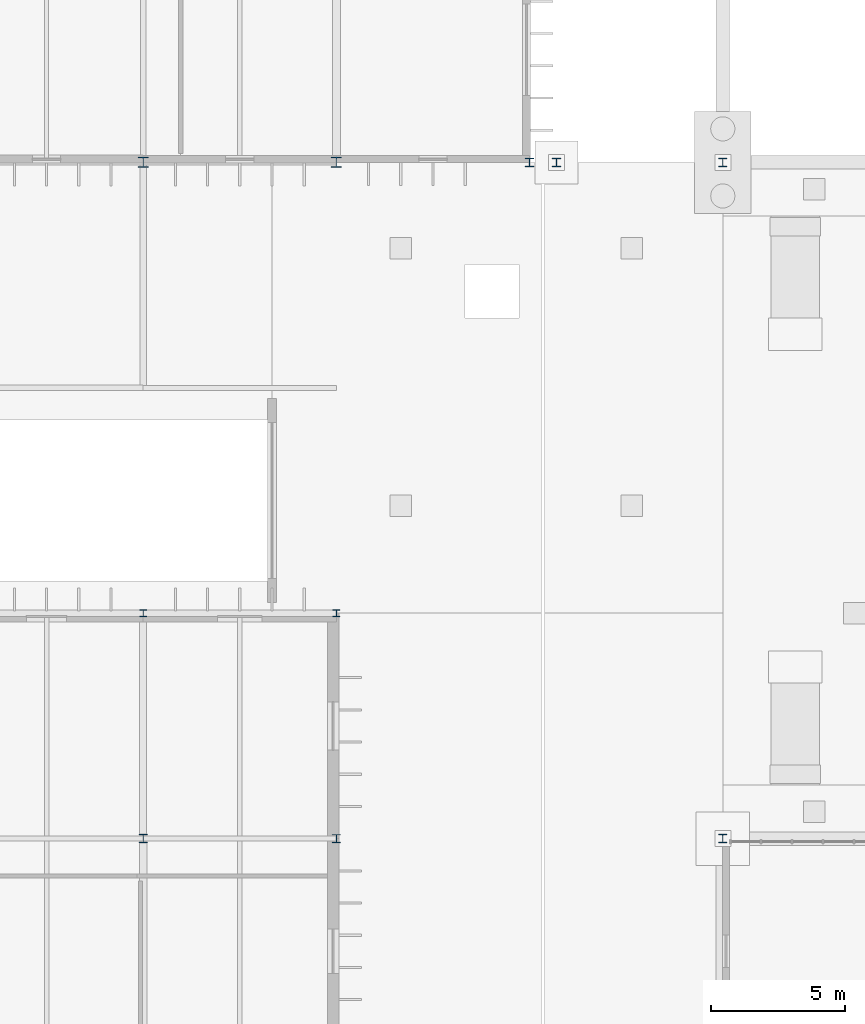
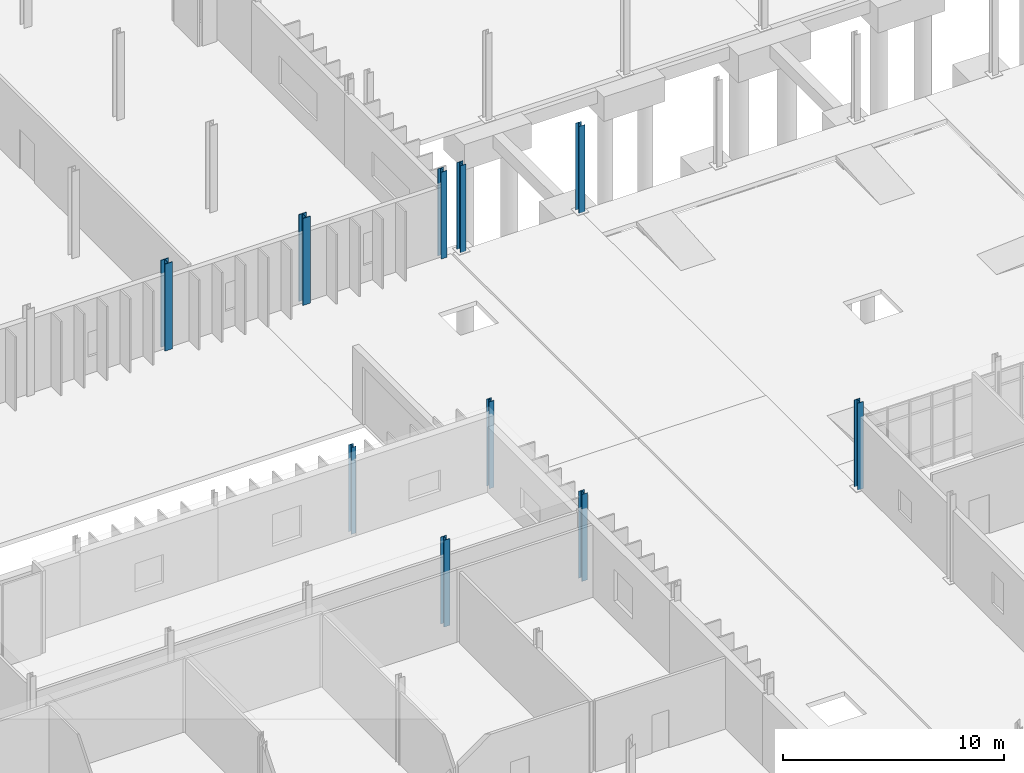
# One storey, part 12 of 118: 10 columns.
"""IFC4 building model written with IfcOpenShell, lengths in metres."""

from ifc_helpers import new_model, si_unit, direction, frame, origin, origin_2d, place, context, subcontext, project, spatial, i_section, extrude, material, material_profile, profile_set, type_object, element, save


model = new_model("IFC4")

# Units and contexts
model_context = context("Model", 3, precision=1e-05, world=origin(), true_north=direction((0.0, 1.0)))
body_context = subcontext(model_context, "Body", "Model", "MODEL_VIEW")
ifc_project = project(units=[si_unit("LENGTHUNIT", "METRE"), si_unit("AREAUNIT", "SQUARE_METRE"), si_unit("VOLUMEUNIT", "CUBIC_METRE"), si_unit("PLANEANGLEUNIT", "RADIAN"), si_unit("MASSUNIT", "GRAM", prefix="KILO")], contexts=[model_context])

# Site, building, storey
site_placement = place(None, origin())
site = spatial("IfcSite", under=ifc_project, at=site_placement, CompositionType="ELEMENT")
building_placement = place(site_placement, origin())
building = spatial("IfcBuilding", under=site, at=building_placement, Name="Qelthora Terrace Specialist Clinic", CompositionType="ELEMENT")
storey_placement = place(building_placement, origin())
storey = spatial("IfcBuildingStorey", under=building, at=storey_placement, Name="L00", CompositionType="ELEMENT", Elevation=0.0)

# Columns
ifc_material = material(Name="Steel S355", Category="steel")
ifc_material_profile_1 = material_profile(ifc_material, i_section(OverallWidth=0.25390625, OverallDepth=0.2529296875, WebThickness=0.008544921875, FlangeThickness=0.01416015625, FilletRadius=0.012939453125, at=origin_2d()), Name="W250X73")
ifc_profile_set_1 = profile_set([ifc_material_profile_1], Name="Steel S355")
column_type_1 = type_object("IfcColumnType", Name="COL-W250X73", PredefinedType="COLUMN", material=ifc_profile_set_1)
column_1_placement = place(storey_placement, frame((36.0, 42.0, 0.0), z_axis=(0.0, 0.0, 1.0), x_axis=(1.0, 0.0, 0.0)))
element("IfcColumn", 1, at=column_1_placement, inside=storey, type_object=column_type_1, Name="Column L00-070", PredefinedType="COLUMN", context=body_context, shape_type="SweptSolid", body=[
    extrude(i_section(OverallWidth=0.25390625, OverallDepth=0.2529296875, WebThickness=0.008544921875, FlangeThickness=0.01416015625, FilletRadius=0.012939453125, at=origin_2d()), origin(), (0.0, 0.0, 1.0), 4.800048828125),
])
ifc_material_profile_2 = material_profile(ifc_material, i_section(OverallWidth=0.256103515625, OverallDepth=0.260009765625, WebThickness=0.0107421875, FlangeThickness=0.017333984375, FilletRadius=0.012939453125, at=origin_2d()), Name="W250X89")
ifc_profile_set_2 = profile_set([ifc_material_profile_2], Name="Steel S355")
column_type_2 = type_object("IfcColumnType", Name="COL-W250X89", PredefinedType="COLUMN", material=ifc_profile_set_2)
column_2_placement = place(storey_placement, frame((43.199951171875, 42.0, 0.0), z_axis=(0.0, 0.0, 1.0), x_axis=(1.0, 0.0, 0.0)))
element("IfcColumn", 2, at=column_2_placement, inside=storey, type_object=column_type_2, Name="Column L00-084", PredefinedType="COLUMN", context=body_context, shape_type="SweptSolid", body=[
    extrude(i_section(OverallWidth=0.256103515625, OverallDepth=0.260009765625, WebThickness=0.0107421875, FlangeThickness=0.017333984375, FilletRadius=0.012939453125, at=origin_2d()), origin(), (0.0, 0.0, 1.0), 4.800048828125),
])
ifc_material_profile_3 = material_profile(ifc_material, i_section(OverallWidth=0.306884765625, OverallDepth=0.31396484375, WebThickness=0.011962890625, FlangeThickness=0.018798828125, FilletRadius=0.01611328125, at=origin_2d()), Name="W310X118")
ifc_profile_set_3 = profile_set([ifc_material_profile_3], Name="Steel S355")
column_type_3 = type_object("IfcColumnType", Name="COL-W310X118", PredefinedType="COLUMN", material=ifc_profile_set_3)
for number, where, z_axis, x_axis, name in (
    (3, (36.0, 33.60009765625, 0.0), (0.0, 0.0, 1.0), (1.0, 0.0, 0.0), "Column L00-069"),
    (4, (57.60009765625, 33.60009765625, 0.0), (0.0, 0.0, 1.0), (1.0, 0.0, 0.0), "Column L00-108"),
):
    element("IfcColumn", number, at=place(storey_placement, frame(where, z_axis=z_axis, x_axis=x_axis)), inside=storey, type_object=column_type_3, Name=name, PredefinedType="COLUMN", context=body_context, shape_type="SweptSolid", body=[
        extrude(i_section(OverallWidth=0.306884765625, OverallDepth=0.31396484375, WebThickness=0.011962890625, FlangeThickness=0.018798828125, FilletRadius=0.01611328125, at=origin_2d()), origin(), (0.0, 0.0, 1.0), 4.800048828125),
    ])
ifc_material_profile_4 = material_profile(ifc_material, i_section(OverallWidth=0.30810546875, OverallDepth=0.318115234375, WebThickness=0.01318359375, FlangeThickness=0.0205078125, FilletRadius=0.01611328125, at=origin_2d()), Name="W310X129")
ifc_profile_set_4 = profile_set([ifc_material_profile_4], Name="Steel S355")
column_type_4 = type_object("IfcColumnType", Name="COL-W310X129", PredefinedType="COLUMN", material=ifc_profile_set_4)
for number, where, z_axis, x_axis, name in (
    (5, (50.39990234375, 58.800048828125, 0.0), (0.0, 0.0, 1.0), (1.0, 0.0, 0.0), "Column L00-093"),
    (6, (57.60009765625, 58.800048828125, 0.0), (0.0, 0.0, 1.0), (1.0, 0.0, 0.0), "Column L00-109"),
):
    element("IfcColumn", number, at=place(storey_placement, frame(where, z_axis=z_axis, x_axis=x_axis)), inside=storey, type_object=column_type_4, Name=name, PredefinedType="COLUMN", context=body_context, shape_type="SweptSolid", body=[
        extrude(i_section(OverallWidth=0.30810546875, OverallDepth=0.318115234375, WebThickness=0.01318359375, FlangeThickness=0.0205078125, FilletRadius=0.01611328125, at=origin_2d()), origin(), (0.0, 0.0, 1.0), 4.800048828125),
    ])
ifc_material_profile_5 = material_profile(ifc_material, i_section(OverallWidth=0.30908203125, OverallDepth=0.322998046875, WebThickness=0.013916015625, FlangeThickness=0.02294921875, FilletRadius=0.01611328125, at=origin_2d()), Name="W310X143")
ifc_profile_set_5 = profile_set([ifc_material_profile_5], Name="Steel S355")
column_type_5 = type_object("IfcColumnType", Name="COL-W310X143", PredefinedType="COLUMN", material=ifc_profile_set_5)
column_3_placement = place(storey_placement, frame((51.39990234375, 58.800048828125, 0.0), z_axis=(0.0, 0.0, 1.0), x_axis=(1.0, 0.0, 0.0)))
element("IfcColumn", 7, at=column_3_placement, inside=storey, type_object=column_type_5, Name="Column L00-102", PredefinedType="COLUMN", context=body_context, shape_type="SweptSolid", body=[
    extrude(i_section(OverallWidth=0.30908203125, OverallDepth=0.322998046875, WebThickness=0.013916015625, FlangeThickness=0.02294921875, FilletRadius=0.01611328125, at=origin_2d()), origin(), (0.0, 0.0, 1.0), 4.800048828125),
])
ifc_material_profile_6 = material_profile(ifc_material, i_section(OverallWidth=0.304931640625, OverallDepth=0.30810546875, WebThickness=0.010009765625, FlangeThickness=0.015380859375, FilletRadius=0.014892578125, at=origin_2d()), Name="W310X97")
ifc_profile_set_6 = profile_set([ifc_material_profile_6], Name="Steel S355")
column_type_6 = type_object("IfcColumnType", Name="COL-W310X97", PredefinedType="COLUMN", material=ifc_profile_set_6)
column_4_placement = place(storey_placement, frame((43.199951171875, 33.60009765625, 0.0), z_axis=(0.0, 0.0, 1.0), x_axis=(1.0, 0.0, 0.0)))
element("IfcColumn", 8, at=column_4_placement, inside=storey, type_object=column_type_6, Name="Column L00-083", PredefinedType="COLUMN", context=body_context, shape_type="SweptSolid", body=[
    extrude(i_section(OverallWidth=0.304931640625, OverallDepth=0.30810546875, WebThickness=0.010009765625, FlangeThickness=0.015380859375, FilletRadius=0.014892578125, at=origin_2d()), origin(), (0.0, 0.0, 1.0), 4.800048828125),
])
ifc_material_profile_7 = material_profile(ifc_material, i_section(OverallWidth=0.39892578125, OverallDepth=0.39306640625, WebThickness=0.022705078125, FlangeThickness=0.035888671875, FilletRadius=0.02001953125, at=origin_2d()), Name="W360X287")
ifc_profile_set_7 = profile_set([ifc_material_profile_7], Name="Steel S355")
column_type_7 = type_object("IfcColumnType", Name="COL-W360X287", PredefinedType="COLUMN", material=ifc_profile_set_7)
for number, where, z_axis, x_axis, name in (
    (9, (36.0, 58.800048828125, 0.0), (0.0, 0.0, 1.0), (1.0, 0.0, 0.0), "Column L00-072"),
    (10, (43.199951171875, 58.800048828125, 0.0), (0.0, 0.0, 1.0), (1.0, 0.0, 0.0), "Column L00-086"),
):
    element("IfcColumn", number, at=place(storey_placement, frame(where, z_axis=z_axis, x_axis=x_axis)), inside=storey, type_object=column_type_7, Name=name, PredefinedType="COLUMN", context=body_context, shape_type="SweptSolid", body=[
        extrude(i_section(OverallWidth=0.39892578125, OverallDepth=0.39306640625, WebThickness=0.022705078125, FlangeThickness=0.035888671875, FilletRadius=0.02001953125, at=origin_2d()), origin(), (0.0, 0.0, 1.0), 4.800048828125),
    ])

save(model, "model.ifc")
